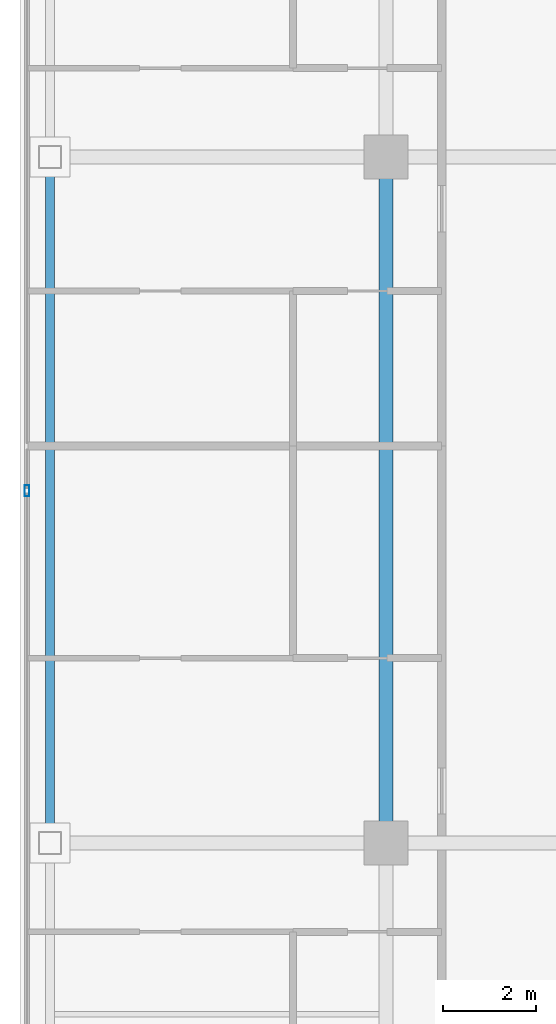
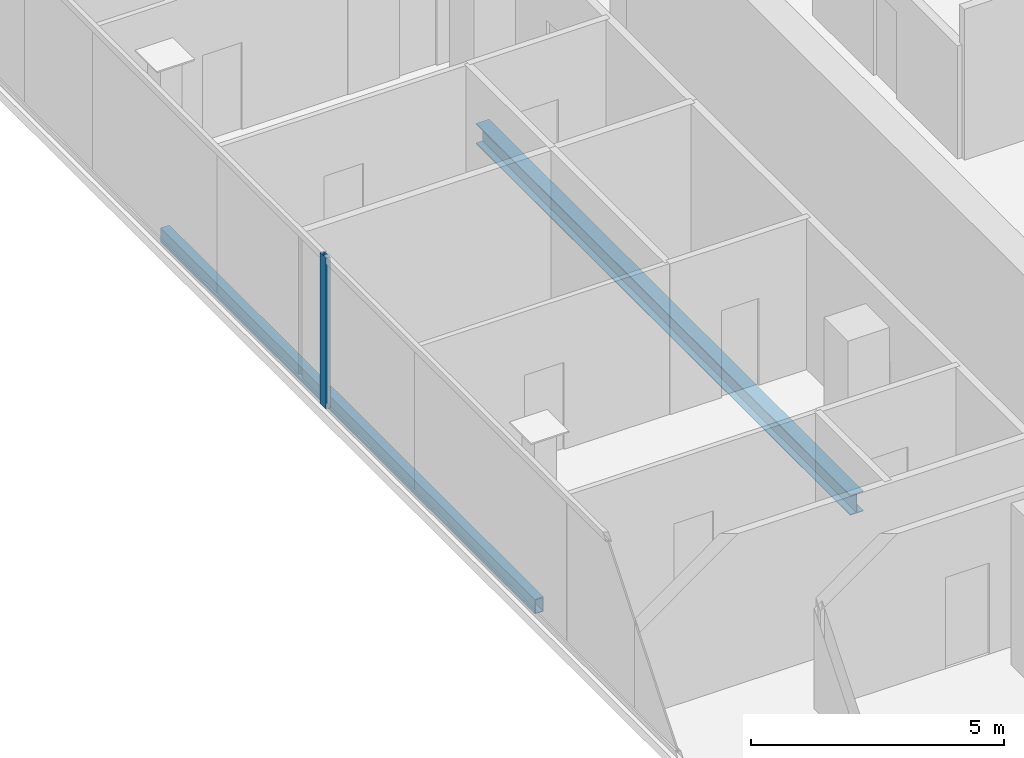
# One storey, part 5 of 22: 2 beams, 1 member, 1 element without a shape of its own.
"""IFC4 building model written with IfcOpenShell, lengths in metres."""

from ifc_helpers import new_model, si_unit, direction, frame, origin, origin_2d, place, context, subcontext, project, spatial, hollow_rectangle, i_section, extrude, material, layer, layer_set, material_profile, profile_set, type_object, element, aggregate, save


model = new_model("IFC4")

# Units and contexts
model_context = context("Model", 3, precision=1e-05, world=origin(), true_north=direction((0.0, 1.0)))
body_context = subcontext(model_context, "Body", "Model", "MODEL_VIEW")
ifc_project = project(units=[si_unit("LENGTHUNIT", "METRE"), si_unit("AREAUNIT", "SQUARE_METRE"), si_unit("VOLUMEUNIT", "CUBIC_METRE"), si_unit("PLANEANGLEUNIT", "RADIAN"), si_unit("MASSUNIT", "GRAM", prefix="KILO")], contexts=[model_context])

# Site, building, storey
site_placement = place(None, origin())
site = spatial("IfcSite", under=ifc_project, at=site_placement, CompositionType="ELEMENT")
building_placement = place(site_placement, origin())
building = spatial("IfcBuilding", under=site, at=building_placement, Name="Khorvyn Point Tower", CompositionType="ELEMENT")
storey_placement = place(building_placement, frame((0.0, 0.0, 309.300048828125)))
storey = spatial("IfcBuildingStorey", under=building, at=storey_placement, Name="L76", CompositionType="ELEMENT", Elevation=309.300048828125)

# Curtain wall, member
ifc_material_1 = material(Name="Anodised aluminium 6063-T6 and laminated Low-E glass", Category="aluminium")
ifc_layer = layer(ifc_material_1, 0.18994140625)
ifc_layer_set = layer_set([ifc_layer], Name="Stick-Built High-Wind Curtain Wall CW-SYS-04")
curtain_wall_type = type_object("IfcCurtainWallType", Name="Stick-Built High-Wind Curtain Wall CW-SYS-04", PredefinedType="NOTDEFINED", material=ifc_layer_set)
curtain_wall_placement = place(storey_placement, origin())
curtain_wall = element("IfcCurtainWall", 1, at=curtain_wall_placement, inside=storey, type_object=curtain_wall_type, Name="Curtain Wall", PredefinedType="NOTDEFINED")
ifc_material_2 = material(Name="Anodised aluminium 6063-T6", Category="aluminium")
ifc_material_profile_1 = material_profile(ifc_material_2, hollow_rectangle(XDim=0.10009765625, YDim=0.239990234375, WallThickness=0.0048828125, at=origin_2d()))
ifc_profile_set_1 = profile_set([ifc_material_profile_1], Name="Anodised aluminium 6063-T6 ALU-MUL-100x240")
member_type = type_object("IfcMemberType", Name="Anodised Aluminium 6063-T6 Mullion ALU-MUL-100x240", PredefinedType="MULLION", material=ifc_profile_set_1)
member_placement = place(storey_placement, frame((-22.550048828125, 0.199951171875, 0.0), z_axis=(0.0, 0.0, 1.0), x_axis=(-1.0, 0.0, 0.0)))
member = element("IfcMember", 2, at=member_placement, type_object=member_type, Name="Transom", PredefinedType="MULLION", context=body_context, shape_type="SweptSolid", body=[
    extrude(hollow_rectangle(XDim=0.10009765625, YDim=0.239990234375, WallThickness=0.0048828125, at=origin_2d()), origin(), (0.0, 0.0, 1.0), 3.639892578125),
])
aggregate(curtain_wall, [member])

# Beams
ifc_material_3 = material(Name="Steel S355", Category="steel")
ifc_material_profile_2 = material_profile(ifc_material_3, i_section(OverallWidth=0.300048828125, OverallDepth=0.488037109375, WebThickness=0.010986328125, FlangeThickness=0.01806640625, at=origin_2d()))
ifc_profile_set_2 = profile_set([ifc_material_profile_2], Name="Steel S355 H488x300x11x18")
beam_type_1 = type_object("IfcBeamType", Name="Steel S355 Spandrel H488x300x11x18", PredefinedType="SPANDREL", material=ifc_profile_set_2)
beam_1_placement = place(storey_placement, frame((-14.800048828125, -7.39990234375, -0.464111328125), z_axis=(0.0, 1.0, 0.0), x_axis=(-1.0, 0.0, 0.0)))
element("IfcBeam", 3, at=beam_1_placement, inside=storey, type_object=beam_type_1, Name="Beam", PredefinedType="SPANDREL", context=body_context, shape_type="SweptSolid", body=[
    extrude(i_section(OverallWidth=0.300048828125, OverallDepth=0.488037109375, WebThickness=0.010986328125, FlangeThickness=0.01806640625, at=origin_2d()), origin(), (0.0, 0.0, 1.0), 14.7998046875),
])
ifc_material_profile_3 = material_profile(ifc_material_3, hollow_rectangle(XDim=0.199951171875, YDim=0.35009765625, WallThickness=0.013916015625, at=origin_2d()))
ifc_profile_set_3 = profile_set([ifc_material_profile_3], Name="Steel S355 RHS350x200x14")
beam_type_2 = type_object("IfcBeamType", Name="Steel S355 Spandrel RHS350x200x14", PredefinedType="SPANDREL", material=ifc_profile_set_3)
beam_2_placement = place(storey_placement, frame((-22.050048828125, -7.39990234375, -0.39501953125), z_axis=(0.0, 1.0, 0.0), x_axis=(-1.0, 0.0, 0.0)))
element("IfcBeam", 4, at=beam_2_placement, inside=storey, type_object=beam_type_2, Name="Beam", PredefinedType="SPANDREL", context=body_context, shape_type="SweptSolid", body=[
    extrude(hollow_rectangle(XDim=0.199951171875, YDim=0.35009765625, WallThickness=0.013916015625, at=origin_2d()), origin(), (0.0, 0.0, 1.0), 14.7998046875),
])

save(model, "model.ifc")
